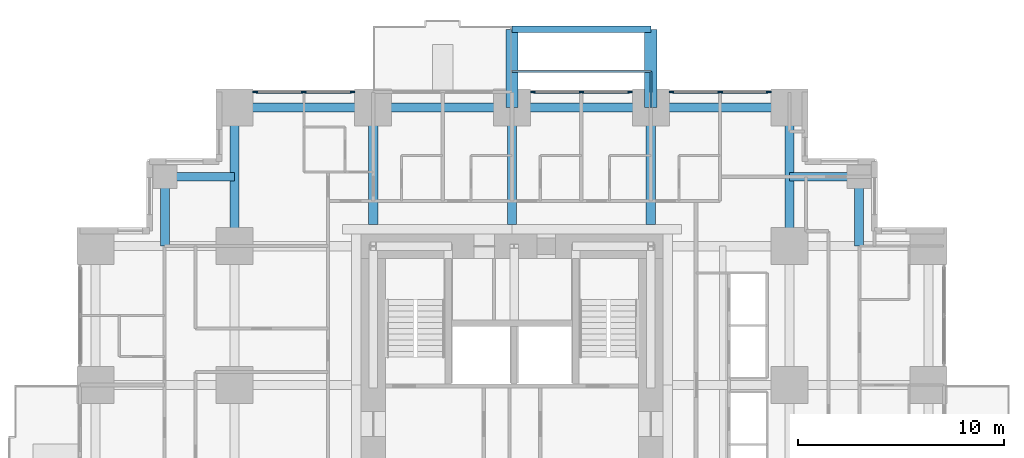
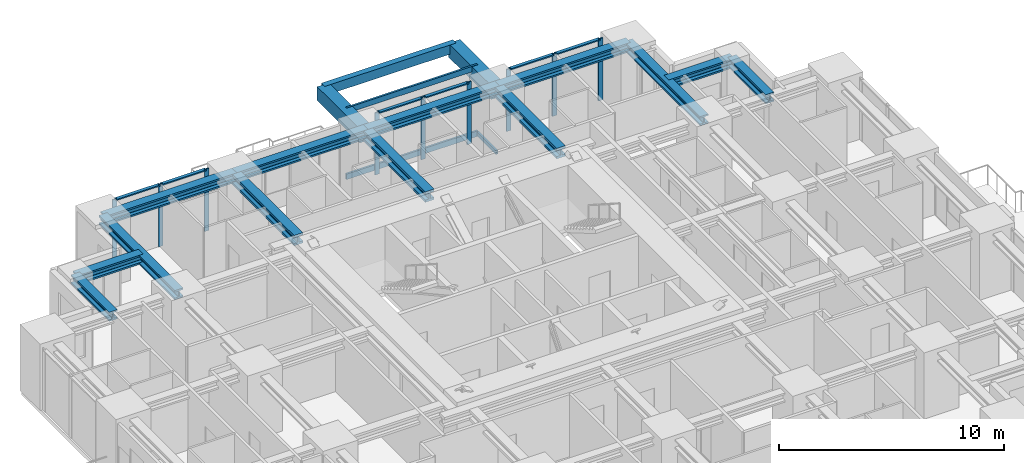
# One storey, part 5 of 13: 18 members, 16 beams, 3 elements without a shape of their own.
"""IFC4 building model written with IfcOpenShell, lengths in metres."""

import ifcopenshell
import ifcopenshell.guid

model = None  # the IFC model being written
_history = None  # IfcOwnerHistory: only IFC2X3 demands one
_inside = {}  # id of a spatial element -> (the spatial element, [elements in it])
_under = {}  # id of a project, library or spatial element -> (it, [spatial elements below it])
_declared = {}  # id of a project -> (the project, [libraries it declares])
_typed = {}  # id of a type object -> (the type object, [elements of that type])
_made_of = {}  # id of a material, layer set ... -> (it, [elements and type objects made of it])


def new_model(schema):
    """Start an empty IFC model of exactly this schema.

    Asked for "IFC4X3", IfcOpenShell would pick the latest addendum, in which some entities
    have other attributes; the version numbers below select the first issue.
    IFC2X3 requires an IfcOwnerHistory on every rooted entity: one is made here for all.
    """
    global model, _history
    if schema == "IFC4X3":
        model = ifcopenshell.file(schema_version=(4, 3, 0, 0))
    else:
        model = ifcopenshell.file(schema=schema)
    _inside.clear()
    _under.clear()
    _declared.clear()
    _typed.clear()
    _made_of.clear()
    _history = None
    if model.schema == "IFC2X3":
        org = make("IfcOrganization", Name="unknown")
        user = make(
            "IfcPersonAndOrganization",
            ThePerson=make("IfcPerson", FamilyName="unknown"),
            TheOrganization=org,
        )
        app = make(
            "IfcApplication",
            ApplicationDeveloper=org,
            Version="unknown",
            ApplicationFullName="unknown",
            ApplicationIdentifier="unknown",
        )
        _history = make(
            "IfcOwnerHistory",
            OwningUser=user,
            OwningApplication=app,
            ChangeAction="ADDED",
            CreationDate=0,
        )
    return model


def make(cls, **values):
    """One entity of the class cls with the attributes given. An attribute that is None is left unset."""
    return model.create_entity(
        cls, **{name: value for name, value in values.items() if value is not None}
    )


def rooted(cls, **values):
    """An entity with a GlobalId (a new one), such as an element, a storey or a relation."""
    return make(cls, GlobalId=ifcopenshell.guid.new(), OwnerHistory=_history, **values)


def si_unit(unit_type, name, prefix=None):
    """IfcSIUnit, for example si_unit("LENGTHUNIT", "METRE", prefix="MILLI")."""
    return make("IfcSIUnit", UnitType=unit_type, Prefix=prefix, Name=name)


def assignment(units):
    """IfcUnitAssignment: the units of a project."""
    return None if units is None else make("IfcUnitAssignment", Units=units)


def point(xyz):
    """IfcCartesianPoint."""
    return None if xyz is None else make("IfcCartesianPoint", Coordinates=xyz)


def direction(xyz):
    """IfcDirection."""
    return None if xyz is None else make("IfcDirection", DirectionRatios=xyz)


def frame(location, z_axis=None, x_axis=None):
    """IfcAxis2Placement3D, a coordinate frame: its origin and axes. An axis left out is left unset."""
    return make(
        "IfcAxis2Placement3D",
        Location=point(location),
        Axis=direction(z_axis),
        RefDirection=direction(x_axis),
    )


def frame_2d(location, x_axis=None):
    """IfcAxis2Placement2D, a coordinate frame in the plane: its origin and x axis."""
    return make(
        "IfcAxis2Placement2D", Location=point(location), RefDirection=direction(x_axis)
    )


def origin():
    """The frame at (0, 0, 0) with its axes left unset."""
    return frame((0.0, 0.0, 0.0))


def origin_2d():
    """The frame at (0, 0) in the plane with its x axis left unset."""
    return frame_2d((0.0, 0.0))


def place(relative_to, where):
    """IfcLocalPlacement: puts the frame where relative to a parent placement (None: the world)."""
    return make(
        "IfcLocalPlacement", PlacementRelTo=relative_to, RelativePlacement=where
    )


def context(
    kind, dimensions, precision=None, world=None, true_north=None, identifier=None
):
    """IfcGeometricRepresentationContext, for example the 3D "Model" context."""
    return make(
        "IfcGeometricRepresentationContext",
        ContextIdentifier=identifier,
        ContextType=kind,
        CoordinateSpaceDimension=dimensions,
        Precision=precision,
        WorldCoordinateSystem=world,
        TrueNorth=true_north,
    )


def subcontext(parent, identifier, kind, view, scale=None):
    """IfcGeometricRepresentationSubContext, for example "Body" below "Model"."""
    return make(
        "IfcGeometricRepresentationSubContext",
        ContextIdentifier=identifier,
        ContextType=kind,
        ParentContext=parent,
        TargetScale=scale,
        TargetView=view,
    )


def project(units=None, contexts=None):
    """IfcProject with its units and contexts."""
    return rooted(
        "IfcProject",
        Name="project",
        RepresentationContexts=contexts,
        UnitsInContext=assignment(units),
    )


def spatial(cls, under=None, at=None, **own):
    """A site, building, storey or space (cls), placed at a placement, below another one or the project."""
    s = rooted(cls, ObjectPlacement=at, **own)
    if under is not None:
        _under.setdefault(under.id(), (under, []))[1].append(s)
    return s


def profile(cls, at=None, kind="AREA", **sizes):
    """A parametric profile (cls). Its sizes go by their IFC names, for example OverallWidth=200.0."""
    return make(cls, ProfileType=kind, Position=at, **sizes)


def rectangle(**sizes):
    """IfcRectangleProfileDef."""
    return profile("IfcRectangleProfileDef", **sizes)


def hollow_rectangle(**sizes):
    """IfcRectangleHollowProfileDef."""
    return profile("IfcRectangleHollowProfileDef", **sizes)


def i_section(**sizes):
    """IfcIShapeProfileDef."""
    return profile("IfcIShapeProfileDef", **sizes)


def extrude(swept, where, along, depth):
    """IfcExtrudedAreaSolid: the profile swept, set in the frame where, extruded along a direction by depth."""
    return make(
        "IfcExtrudedAreaSolid",
        SweptArea=swept,
        Position=where,
        ExtrudedDirection=direction(along),
        Depth=depth,
    )


def shape(context_of_items, identifier, shape_type, items):
    """IfcShapeRepresentation: the items that make up one representation, for example the "Body"."""
    return make(
        "IfcShapeRepresentation",
        ContextOfItems=context_of_items,
        RepresentationIdentifier=identifier,
        RepresentationType=shape_type,
        Items=items,
    )


def material(Name=None, Category=None):
    """IfcMaterial."""
    return make("IfcMaterial", Name=Name, Category=Category)


def material_profile(
    of_material, cross_section, Name=None, Category=None, Priority=None
):
    """IfcMaterialProfile: a cross section and its material."""
    return make(
        "IfcMaterialProfile",
        Name=Name,
        Material=of_material,
        Profile=cross_section,
        Priority=Priority,
        Category=Category,
    )


def profile_set(profiles, Name=None, composite=None):
    """IfcMaterialProfileSet."""
    return make(
        "IfcMaterialProfileSet",
        Name=Name,
        MaterialProfiles=profiles,
        CompositeProfile=composite,
    )


def made_of(thing, what):
    """Note that an element or type object is made of a material, layer set ...; save() writes the relation."""
    if what is not None:
        _made_of.setdefault(what.id(), (what, []))[1].append(thing)
    return thing


def type_object(cls, material=None, **own):
    """A type object (cls), such as IfcWallType, which elements share."""
    return made_of(rooted(cls, **own), material)


def element(
    cls,
    number,
    at=None,
    inside=None,
    cuts=None,
    type_object=None,
    material=None,
    context=None,
    identifier="Body",
    shape_type=None,
    held_by="IfcProductDefinitionShape",
    body=None,
    shapes=None,
    **own,
):
    """One element of the class cls, such as IfcWall. Its Tag is "e" and its number.

    at: its placement. inside: the storey or other place that contains it. cuts: it is an
    opening in that element (IfcRelVoidsElement). A single representation is given by context,
    identifier, shape_type and body (its items); several are given by shapes. held_by: the class
    of the entity that holds the representations. save() writes the other relations.
    """
    e = rooted(cls, Tag="e%d" % number, ObjectPlacement=at, **own)
    if body is not None:
        shapes = [shape(context, identifier, shape_type, body)]
    if shapes is not None:
        e.Representation = make(held_by, Representations=shapes)
    if inside is not None:
        _inside.setdefault(inside.id(), (inside, []))[1].append(e)
    if cuts is not None:
        rooted(
            "IfcRelVoidsElement", RelatingBuildingElement=cuts, RelatedOpeningElement=e
        )
    if type_object is not None:
        _typed.setdefault(type_object.id(), (type_object, []))[1].append(e)
    return made_of(e, material)


def aggregate(whole, parts):
    """IfcRelAggregates: a whole, such as a stair, and the parts it consists of."""
    return rooted("IfcRelAggregates", RelatingObject=whole, RelatedObjects=parts)


def save(model, path):
    """Write the relations noted so far, then the file.

    IfcRelAggregates (storeys below a building ...), IfcRelContainedInSpatialStructure (elements
    in a storey), IfcRelDefinesByType, IfcRelAssociatesMaterial and IfcRelDeclares: one each for
    every whole, place, type object, material and project.
    """
    for whole, parts in _under.values():
        aggregate(whole, parts)
    for where, things in _inside.values():
        rooted(
            "IfcRelContainedInSpatialStructure",
            RelatedElements=things,
            RelatingStructure=where,
        )
    for kind, things in _typed.values():
        rooted("IfcRelDefinesByType", RelatedObjects=things, RelatingType=kind)
    for what, things in _made_of.values():
        rooted("IfcRelAssociatesMaterial", RelatedObjects=things, RelatingMaterial=what)
    for by, libraries in _declared.values():
        rooted("IfcRelDeclares", RelatingContext=by, RelatedDefinitions=libraries)
    model.write(path)


model = new_model("IFC4")

# Units and contexts
model_context = context("Model", 3, precision=1e-05, world=origin(), true_north=direction((0.0, 1.0)))
body_context = subcontext(model_context, "Body", "Model", "MODEL_VIEW")
ifc_project = project(units=[si_unit("LENGTHUNIT", "METRE"), si_unit("AREAUNIT", "SQUARE_METRE"), si_unit("VOLUMEUNIT", "CUBIC_METRE"), si_unit("PLANEANGLEUNIT", "RADIAN"), si_unit("MASSUNIT", "GRAM", prefix="KILO")], contexts=[model_context])

# Site, building, storey
site_placement = place(None, origin())
site = spatial("IfcSite", under=ifc_project, at=site_placement, CompositionType="ELEMENT")
building_placement = place(site_placement, origin())
building = spatial("IfcBuilding", under=site, at=building_placement, Name="Nyansa Garden Tower", CompositionType="ELEMENT")
storey_placement = place(building_placement, frame((0.0, 0.0, 87.300048828125)))
storey = spatial("IfcBuildingStorey", under=building, at=storey_placement, Name="L23", CompositionType="ELEMENT", Elevation=87.300048828125)

# Beams
ifc_material_1 = material(Name="Concrete C70/85", Category="concrete")
ifc_material_profile_1 = material_profile(ifc_material_1, rectangle(XDim=0.60009765625, YDim=0.75, at=origin_2d()), Name="RC 600x750")
ifc_profile_set_1 = profile_set([ifc_material_profile_1], Name="Concrete C70/85")
beam_type_1 = type_object("IfcBeamType", Name="Balcony cantilever beam CB1 RC 600x750", PredefinedType="BEAM", material=ifc_profile_set_1)
for number, where, z_axis, x_axis, name in (
    (1, (20.25, 33.75, 2.98486328125), (0.0, 1.0, 0.0), (-1.0, 0.0, 0.0), "Balcony cantilever beam L24"),
    (2, (27.0, 33.75, 2.98486328125), (0.0, 1.0, 0.0), (-1.0, 0.0, 0.0), "Balcony cantilever beam L24"),
):
    element("IfcBeam", number, at=place(storey_placement, frame(where, z_axis=z_axis, x_axis=x_axis)), inside=storey, type_object=beam_type_1, Name=name, PredefinedType="BEAM", context=body_context, shape_type="SweptSolid", body=[
        extrude(rectangle(XDim=0.60009765625, YDim=0.75, at=origin_2d()), origin(), (0.0, 0.0, 1.0), 3.800048828125),
    ])
ifc_material_2 = material(Name="Concrete C70/85", Category="concrete")
ifc_material_profile_2 = material_profile(ifc_material_2, rectangle(XDim=0.300048828125, YDim=0.5, at=origin_2d()), Name="RC 300x500")
ifc_profile_set_2 = profile_set([ifc_material_profile_2], Name="Concrete C70/85")
beam_type_2 = type_object("IfcBeamType", Name="Balcony edge beam BE1 RC 300x500", PredefinedType="BEAM", material=ifc_profile_set_2)
beam_placement = place(storey_placement, frame((20.25, 37.550048828125, 3.10986328125), z_axis=(1.0, 0.0, 0.0), x_axis=(0.0, 1.0, 0.0)))
element("IfcBeam", 3, at=beam_placement, inside=storey, type_object=beam_type_2, Name="Balcony edge beam L24", PredefinedType="BEAM", context=body_context, shape_type="SweptSolid", body=[
    extrude(rectangle(XDim=0.300048828125, YDim=0.5, at=origin_2d()), origin(), (0.0, 0.0, 1.0), 6.75),
])

# Curtain wall, members
ifc_material_3 = material(Name="Black anodised aluminium, dark tinted double glazing", Category="aluminium")
curtain_wall_type = type_object("IfcCurtainWallType", Name="Inner skin curtain wall ISW-B", PredefinedType="USERDEFINED", material=ifc_material_3)
curtain_wall_1_placement = place(storey_placement, origin())
curtain_wall_1 = element("IfcCurtainWall", 4, at=curtain_wall_1_placement, inside=storey, type_object=curtain_wall_type, Name="Inner skin curtain wall L23 N", ObjectType="UNITISED CURTAIN WALL", PredefinedType="USERDEFINED")
ifc_material_4 = material(Name="Black anodised aluminium", Category="aluminium")
ifc_material_profile_3 = material_profile(ifc_material_4, rectangle(XDim=0.06494140625, YDim=0.22509765625, at=origin_2d()), Name="Mullion 225x65")
ifc_profile_set_3 = profile_set([ifc_material_profile_3], Name="Black anodised aluminium")
member_type_1 = type_object("IfcMemberType", Name="Mullion ISW-B 225x65", PredefinedType="MULLION", material=ifc_profile_set_3)
member_1_placement = place(storey_placement, frame((12.487548828125, 34.5, 0.0), z_axis=(0.0, 0.0, 1.0), x_axis=(0.0, -1.0, 0.0)))
member_1 = element("IfcMember", 5, at=member_1_placement, type_object=member_type_1, Name="ISW-B mullion 1", PredefinedType="MULLION", context=body_context, shape_type="SweptSolid", body=[
    extrude(rectangle(XDim=0.06494140625, YDim=0.22509765625, at=origin_2d()), origin(), (0.0, 0.0, 1.0), 3.375),
])
member_2_placement = place(storey_placement, frame((10.125, 34.5, 0.0), z_axis=(0.0, 0.0, 1.0), x_axis=(0.0, -1.0, 0.0)))
member_2 = element("IfcMember", 6, at=member_2_placement, type_object=member_type_1, Name="ISW-B mullion 2", PredefinedType="MULLION", context=body_context, shape_type="SweptSolid", body=[
    extrude(rectangle(XDim=0.06494140625, YDim=0.22509765625, at=origin_2d()), origin(), (0.0, 0.0, 1.0), 3.375),
])
member_3_placement = place(storey_placement, frame((7.762451171875, 34.5, 0.0), z_axis=(0.0, 0.0, 1.0), x_axis=(0.0, -1.0, 0.0)))
member_3 = element("IfcMember", 7, at=member_3_placement, type_object=member_type_1, Name="ISW-B mullion 3", PredefinedType="MULLION", context=body_context, shape_type="SweptSolid", body=[
    extrude(rectangle(XDim=0.06494140625, YDim=0.22509765625, at=origin_2d()), origin(), (0.0, 0.0, 1.0), 3.375),
])

curtain_wall_2_placement = place(storey_placement, origin())
curtain_wall_2 = element("IfcCurtainWall", 8, at=curtain_wall_2_placement, inside=storey, type_object=curtain_wall_type, Name="Inner skin curtain wall L23 N", ObjectType="UNITISED CURTAIN WALL", PredefinedType="USERDEFINED")
member_4_placement = place(storey_placement, frame((32.737548828125, 34.5, 0.0), z_axis=(0.0, 0.0, 1.0), x_axis=(0.0, -1.0, 0.0)))
member_4 = element("IfcMember", 9, at=member_4_placement, type_object=member_type_1, Name="ISW-B mullion 1", PredefinedType="MULLION", context=body_context, shape_type="SweptSolid", body=[
    extrude(rectangle(XDim=0.06494140625, YDim=0.22509765625, at=origin_2d()), origin(), (0.0, 0.0, 1.0), 3.375),
])
member_5_placement = place(storey_placement, frame((30.375, 34.5, 0.0), z_axis=(0.0, 0.0, 1.0), x_axis=(0.0, -1.0, 0.0)))
member_5 = element("IfcMember", 10, at=member_5_placement, type_object=member_type_1, Name="ISW-B mullion 2", PredefinedType="MULLION", context=body_context, shape_type="SweptSolid", body=[
    extrude(rectangle(XDim=0.06494140625, YDim=0.22509765625, at=origin_2d()), origin(), (0.0, 0.0, 1.0), 3.375),
])
member_6_placement = place(storey_placement, frame((28.012451171875, 34.5, 0.0), z_axis=(0.0, 0.0, 1.0), x_axis=(0.0, -1.0, 0.0)))
member_6 = element("IfcMember", 11, at=member_6_placement, type_object=member_type_1, Name="ISW-B mullion 3", PredefinedType="MULLION", context=body_context, shape_type="SweptSolid", body=[
    extrude(rectangle(XDim=0.06494140625, YDim=0.22509765625, at=origin_2d()), origin(), (0.0, 0.0, 1.0), 3.375),
])

curtain_wall_3_placement = place(storey_placement, origin())
curtain_wall_3 = element("IfcCurtainWall", 12, at=curtain_wall_3_placement, inside=storey, type_object=curtain_wall_type, Name="Inner skin curtain wall L23 N", ObjectType="UNITISED CURTAIN WALL", PredefinedType="USERDEFINED")
member_7_placement = place(storey_placement, frame((25.987548828125, 34.5, 0.0), z_axis=(0.0, 0.0, 1.0), x_axis=(0.0, -1.0, 0.0)))
member_7 = element("IfcMember", 13, at=member_7_placement, type_object=member_type_1, Name="ISW-B mullion 1", PredefinedType="MULLION", context=body_context, shape_type="SweptSolid", body=[
    extrude(rectangle(XDim=0.06494140625, YDim=0.22509765625, at=origin_2d()), origin(), (0.0, 0.0, 1.0), 3.375),
])
member_8_placement = place(storey_placement, frame((23.625, 34.5, 0.0), z_axis=(0.0, 0.0, 1.0), x_axis=(0.0, -1.0, 0.0)))
member_8 = element("IfcMember", 14, at=member_8_placement, type_object=member_type_1, Name="ISW-B mullion 2", PredefinedType="MULLION", context=body_context, shape_type="SweptSolid", body=[
    extrude(rectangle(XDim=0.06494140625, YDim=0.22509765625, at=origin_2d()), origin(), (0.0, 0.0, 1.0), 3.375),
])
member_9_placement = place(storey_placement, frame((21.262451171875, 34.5, 0.0), z_axis=(0.0, 0.0, 1.0), x_axis=(0.0, -1.0, 0.0)))
member_9 = element("IfcMember", 15, at=member_9_placement, type_object=member_type_1, Name="ISW-B mullion 3", PredefinedType="MULLION", context=body_context, shape_type="SweptSolid", body=[
    extrude(rectangle(XDim=0.06494140625, YDim=0.22509765625, at=origin_2d()), origin(), (0.0, 0.0, 1.0), 3.375),
])

# Members
ifc_material_5 = material(Name="Steel S355, black powder coated", Category="steel")
ifc_material_profile_4 = material_profile(ifc_material_5, hollow_rectangle(XDim=0.10009765625, YDim=0.199951171875, WallThickness=0.008056640625, at=origin_2d()), Name="RHS 200x100x8")
ifc_profile_set_4 = profile_set([ifc_material_profile_4], Name="Steel S355, black powder coated")
member_type_2 = type_object("IfcMemberType", Name="Outer skin bracket arm RHS 200x100x8", PredefinedType="USERDEFINED", material=ifc_profile_set_4)
member_10_placement = place(storey_placement, frame((27.0, 33.75, -0.375), z_axis=(0.0, 1.0, 0.0), x_axis=(-1.0, 0.0, 0.0)))
element("IfcMember", 16, at=member_10_placement, inside=storey, type_object=member_type_2, Name="Outer skin bracket arm", ObjectType="OUTER SKIN BRACKET", PredefinedType="USERDEFINED", context=body_context, shape_type="SweptSolid", body=[
    extrude(hollow_rectangle(XDim=0.10009765625, YDim=0.199951171875, WallThickness=0.008056640625, at=origin_2d()), origin(), (0.0, 0.0, 1.0), 1.75),
])
ifc_material_6 = material(Name="Steel S355, black powder coated", Category="steel")
ifc_material_profile_5 = material_profile(ifc_material_6, hollow_rectangle(XDim=0.10009765625, YDim=0.300048828125, WallThickness=0.010009765625, at=origin_2d()), Name="RHS 300x100x10")
ifc_profile_set_5 = profile_set([ifc_material_profile_5], Name="Steel S355, black powder coated")
member_type_3 = type_object("IfcMemberType", Name="Outer skin rail RHS 300x100x10", PredefinedType="USERDEFINED", material=ifc_profile_set_5)
for number, where, z_axis, x_axis, name in (
    (17, (20.25, 35.5, -0.375), (1.0, 0.0, 0.0), (0.0, 1.0, 0.0), "Outer skin rail L23"),
    (18, (20.25, 35.5, 3.224853515625), (1.0, 0.0, 0.0), (0.0, 1.0, 0.0), "Outer skin rail L23 head"),
):
    element("IfcMember", number, at=place(storey_placement, frame(where, z_axis=z_axis, x_axis=x_axis)), inside=storey, type_object=member_type_3, Name=name, ObjectType="OUTER SKIN RAIL", PredefinedType="USERDEFINED", context=body_context, shape_type="SweptSolid", body=[
        extrude(hollow_rectangle(XDim=0.10009765625, YDim=0.300048828125, WallThickness=0.010009765625, at=origin_2d()), origin(), (0.0, 0.0, 1.0), 6.75),
    ])

# Beams
ifc_material_7 = material(Name="Steel S355", Category="steel")
ifc_material_profile_6 = material_profile(ifc_material_7, i_section(OverallWidth=0.431884765625, OverallDepth=0.498046875, WebThickness=0.0556640625, FlangeThickness=0.0888671875, FilletRadius=0.014892578125, at=origin_2d()), Name="HD 400x744")
ifc_profile_set_6 = profile_set([ifc_material_profile_6], Name="Steel S355")
beam_type_3 = type_object("IfcBeamType", Name="Steel beam SBB1-744 HD 400x744", PredefinedType="BEAM", material=ifc_profile_set_6)
for number, where, z_axis, x_axis, name in (
    (19, (6.75, 27.0, 3.1259765625), (0.0, 1.0, 0.0), (-1.0, 0.0, 0.0), "Steel beam 3/H-3/J L24"),
    (20, (33.75, 27.0, 3.1259765625), (0.0, 1.0, 0.0), (-1.0, 0.0, 0.0), "Steel beam 7/H-7/J L24"),
):
    element("IfcBeam", number, at=place(storey_placement, frame(where, z_axis=z_axis, x_axis=x_axis)), inside=storey, type_object=beam_type_3, Name=name, PredefinedType="BEAM", context=body_context, shape_type="SweptSolid", body=[
        extrude(i_section(OverallWidth=0.431884765625, OverallDepth=0.498046875, WebThickness=0.0556640625, FlangeThickness=0.0888671875, FilletRadius=0.014892578125, at=origin_2d()), origin(), (0.0, 0.0, 1.0), 6.75),
    ])
ifc_material_8 = material(Name="Steel S355", Category="steel")
ifc_material_profile_7 = material_profile(ifc_material_8, i_section(OverallWidth=0.4541015625, OverallDepth=0.569091796875, WebThickness=0.077880859375, FlangeThickness=0.125, FilletRadius=0.014892578125, at=origin_2d()), Name="HD 400x1086")
ifc_profile_set_7 = profile_set([ifc_material_profile_7], Name="Steel S355")
beam_type_4 = type_object("IfcBeamType", Name="Steel beam SCL-1086 HD 400x1086", PredefinedType="BEAM", material=ifc_profile_set_7)
for number, where, z_axis, x_axis, name in (
    (21, (13.5, 28.050048828125, 3.09033203125), (0.0, 1.0, 0.0), (-1.0, 0.0, 0.0), "Steel beam 4/28.050-4/J L24"),
    (22, (20.25, 28.050048828125, 3.09033203125), (0.0, 1.0, 0.0), (-1.0, 0.0, 0.0), "Steel beam 5/28.050-5/J L24"),
    (23, (27.0, 28.050048828125, 3.09033203125), (0.0, 1.0, 0.0), (-1.0, 0.0, 0.0), "Steel beam 6/28.050-6/J L24"),
):
    element("IfcBeam", number, at=place(storey_placement, frame(where, z_axis=z_axis, x_axis=x_axis)), inside=storey, type_object=beam_type_4, Name=name, PredefinedType="BEAM", context=body_context, shape_type="SweptSolid", body=[
        extrude(i_section(OverallWidth=0.4541015625, OverallDepth=0.569091796875, WebThickness=0.077880859375, FlangeThickness=0.125, FilletRadius=0.014892578125, at=origin_2d()), origin(), (0.0, 0.0, 1.0), 5.699951171875),
    ])
ifc_material_9 = material(Name="Steel S355", Category="steel")
ifc_material_profile_8 = material_profile(ifc_material_9, i_section(OverallWidth=0.431884765625, OverallDepth=0.498046875, WebThickness=0.0556640625, FlangeThickness=0.0888671875, FilletRadius=0.014892578125, at=origin_2d()), Name="HD 400x744")
ifc_profile_set_8 = profile_set([ifc_material_profile_8], Name="Steel S355")
beam_type_5 = type_object("IfcBeamType", Name="Steel beam SEBB-744 HD 400x744", PredefinedType="BEAM", material=ifc_profile_set_8)
for number, where, z_axis, x_axis, name in (
    (24, (6.75, 33.75, 3.1259765625), (1.0, 0.0, 0.0), (0.0, 1.0, 0.0), "Steel edge beam 3/J-4/J L24"),
    (25, (13.5, 33.75, 3.1259765625), (1.0, 0.0, 0.0), (0.0, 1.0, 0.0), "Steel edge beam 4/J-5/J L24"),
    (26, (20.25, 33.75, 3.1259765625), (1.0, 0.0, 0.0), (0.0, 1.0, 0.0), "Steel edge beam 5/J-6/J L24"),
    (27, (27.0, 33.75, 3.1259765625), (1.0, 0.0, 0.0), (0.0, 1.0, 0.0), "Steel edge beam 6/J-7/J L24"),
):
    element("IfcBeam", number, at=place(storey_placement, frame(where, z_axis=z_axis, x_axis=x_axis)), inside=storey, type_object=beam_type_5, Name=name, PredefinedType="BEAM", context=body_context, shape_type="SweptSolid", body=[
        extrude(i_section(OverallWidth=0.431884765625, OverallDepth=0.498046875, WebThickness=0.0556640625, FlangeThickness=0.0888671875, FilletRadius=0.014892578125, at=origin_2d()), origin(), (0.0, 0.0, 1.0), 6.75),
    ])
ifc_material_10 = material(Name="Steel S355", Category="steel")
ifc_material_profile_9 = material_profile(ifc_material_10, i_section(OverallWidth=0.431884765625, OverallDepth=0.498046875, WebThickness=0.0556640625, FlangeThickness=0.0888671875, FilletRadius=0.014892578125, at=origin_2d()), Name="HD 400x744")
ifc_profile_set_9 = profile_set([ifc_material_profile_9], Name="Steel S355")
beam_type_6 = type_object("IfcBeamType", Name="Steel beam SSB1-744 HD 400x744", PredefinedType="BEAM", material=ifc_profile_set_9)
for number, where, z_axis, x_axis, name in (
    (28, (37.125, 30.375, 3.1259765625), (0.0, -1.0, 0.0), (1.0, 0.0, 0.0), "Steel step beam 37.125/30.375 L24"),
    (29, (37.125, 30.375, 3.1259765625), (-1.0, 0.0, 0.0), (0.0, -1.0, 0.0), "Steel step beam 37.125/30.375 L24"),
    (30, (3.375, 30.375, 3.1259765625), (0.0, -1.0, 0.0), (1.0, 0.0, 0.0), "Steel step beam 3.375/30.375 L24"),
    (31, (3.375, 30.375, 3.1259765625), (1.0, 0.0, 0.0), (0.0, 1.0, 0.0), "Steel step beam 3.375/30.375 L24"),
):
    element("IfcBeam", number, at=place(storey_placement, frame(where, z_axis=z_axis, x_axis=x_axis)), inside=storey, type_object=beam_type_6, Name=name, PredefinedType="BEAM", context=body_context, shape_type="SweptSolid", body=[
        extrude(i_section(OverallWidth=0.431884765625, OverallDepth=0.498046875, WebThickness=0.0556640625, FlangeThickness=0.0888671875, FilletRadius=0.014892578125, at=origin_2d()), origin(), (0.0, 0.0, 1.0), 3.375),
    ])

# Member
ifc_material_11 = material(Name="Black anodised aluminium", Category="aluminium")
ifc_material_profile_10 = material_profile(ifc_material_11, rectangle(XDim=0.1650390625, YDim=0.06494140625, at=origin_2d()), Name="Transom 165x65")
ifc_profile_set_10 = profile_set([ifc_material_profile_10], Name="Black anodised aluminium")
member_type_4 = type_object("IfcMemberType", Name="Transom ISW-B 165x65", PredefinedType="USERDEFINED", material=ifc_profile_set_10)
member_11_placement = place(storey_placement, frame((12.455078125, 34.5, 3.342529296875), z_axis=(-1.0, 0.0, 0.0), x_axis=(0.0, -1.0, 0.0)))
member_11 = element("IfcMember", 32, at=member_11_placement, type_object=member_type_4, Name="ISW-B transom 1", ObjectType="TRANSOM", PredefinedType="USERDEFINED", context=body_context, shape_type="SweptSolid", body=[
    extrude(rectangle(XDim=0.1650390625, YDim=0.06494140625, at=origin_2d()), origin(), (0.0, 0.0, 1.0), 2.297607421875),
])

member_12_placement = place(storey_placement, frame((10.092529296875, 34.5, 3.342529296875), z_axis=(-1.0, 0.0, 0.0), x_axis=(0.0, -1.0, 0.0)))
member_12 = element("IfcMember", 33, at=member_12_placement, type_object=member_type_4, Name="ISW-B transom 2", ObjectType="TRANSOM", PredefinedType="USERDEFINED", context=body_context, shape_type="SweptSolid", body=[
    extrude(rectangle(XDim=0.1650390625, YDim=0.06494140625, at=origin_2d()), origin(), (0.0, 0.0, 1.0), 2.297607421875),
])

aggregate(curtain_wall_1, [member_1, member_2, member_3, member_11, member_12])

member_13_placement = place(storey_placement, frame((32.705078125, 34.5, 3.342529296875), z_axis=(-1.0, 0.0, 0.0), x_axis=(0.0, -1.0, 0.0)))
member_13 = element("IfcMember", 34, at=member_13_placement, type_object=member_type_4, Name="ISW-B transom 1", ObjectType="TRANSOM", PredefinedType="USERDEFINED", context=body_context, shape_type="SweptSolid", body=[
    extrude(rectangle(XDim=0.1650390625, YDim=0.06494140625, at=origin_2d()), origin(), (0.0, 0.0, 1.0), 2.297607421875),
])

member_14_placement = place(storey_placement, frame((30.342529296875, 34.5, 3.342529296875), z_axis=(-1.0, 0.0, 0.0), x_axis=(0.0, -1.0, 0.0)))
member_14 = element("IfcMember", 35, at=member_14_placement, type_object=member_type_4, Name="ISW-B transom 2", ObjectType="TRANSOM", PredefinedType="USERDEFINED", context=body_context, shape_type="SweptSolid", body=[
    extrude(rectangle(XDim=0.1650390625, YDim=0.06494140625, at=origin_2d()), origin(), (0.0, 0.0, 1.0), 2.297607421875),
])

aggregate(curtain_wall_2, [member_4, member_5, member_6, member_13, member_14])

member_15_placement = place(storey_placement, frame((25.955078125, 34.5, 3.342529296875), z_axis=(-1.0, 0.0, 0.0), x_axis=(0.0, -1.0, 0.0)))
member_15 = element("IfcMember", 36, at=member_15_placement, type_object=member_type_4, Name="ISW-B transom 1", ObjectType="TRANSOM", PredefinedType="USERDEFINED", context=body_context, shape_type="SweptSolid", body=[
    extrude(rectangle(XDim=0.1650390625, YDim=0.06494140625, at=origin_2d()), origin(), (0.0, 0.0, 1.0), 2.297607421875),
])

member_16_placement = place(storey_placement, frame((23.592529296875, 34.5, 3.342529296875), z_axis=(-1.0, 0.0, 0.0), x_axis=(0.0, -1.0, 0.0)))
member_16 = element("IfcMember", 37, at=member_16_placement, type_object=member_type_4, Name="ISW-B transom 2", ObjectType="TRANSOM", PredefinedType="USERDEFINED", context=body_context, shape_type="SweptSolid", body=[
    extrude(rectangle(XDim=0.1650390625, YDim=0.06494140625, at=origin_2d()), origin(), (0.0, 0.0, 1.0), 2.297607421875),
])

aggregate(curtain_wall_3, [member_7, member_8, member_9, member_15, member_16])

save(model, "model.ifc")
